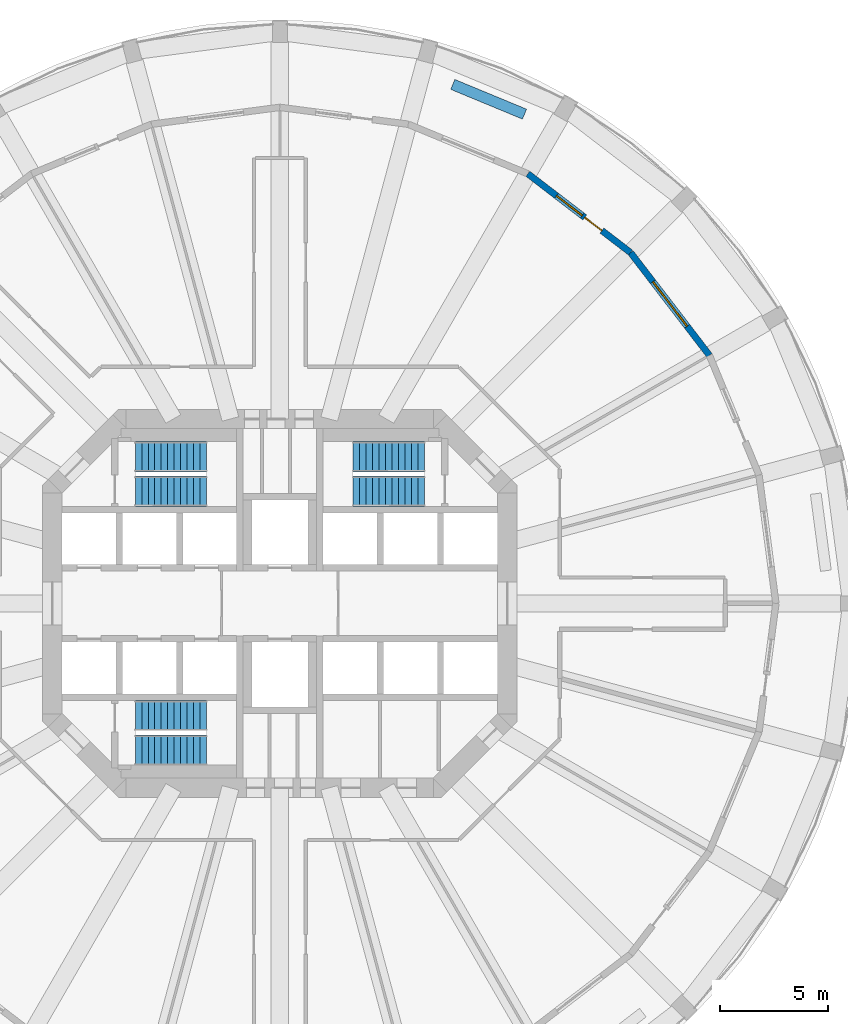
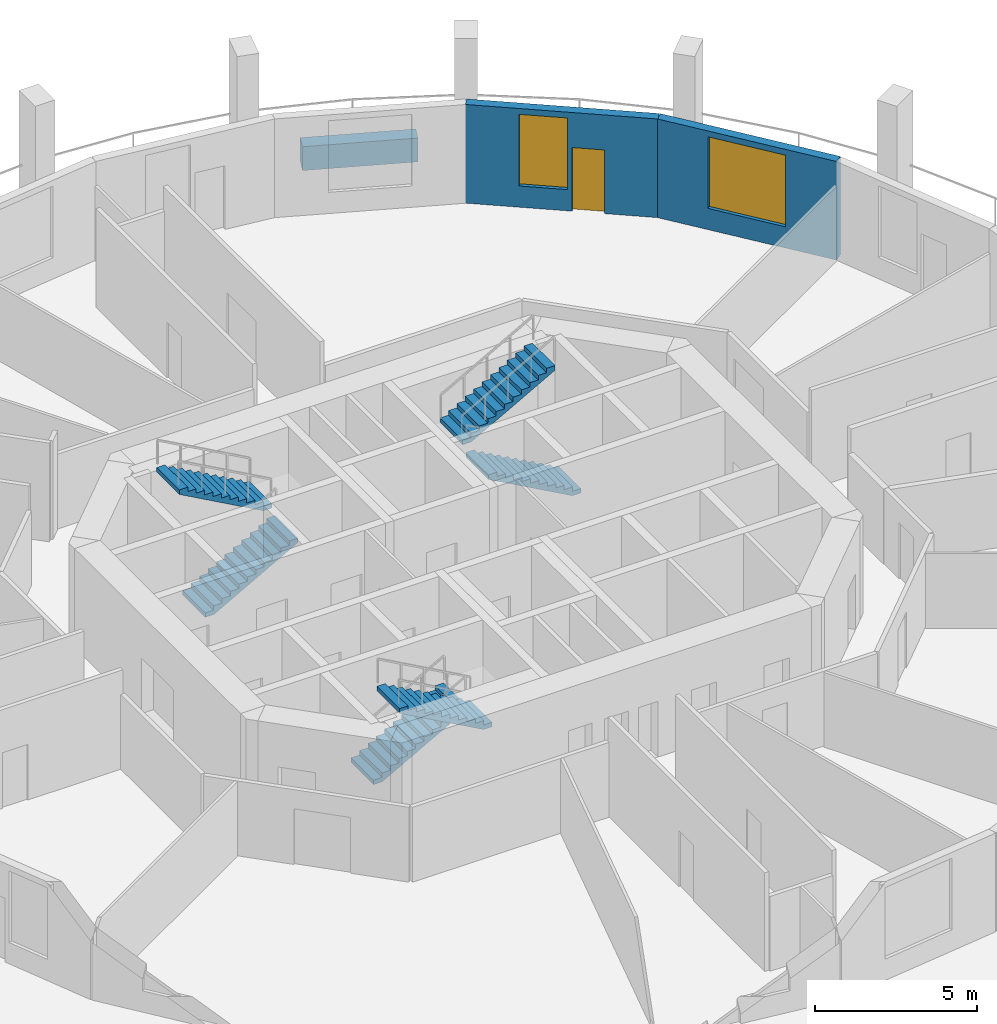
# One storey, part 7 of 9: 6 stair flights, 3 walls, 2 windows, 1 door, 3 openings, 3 elements without a shape of their own.
"""IFC4 building model written with IfcOpenShell, lengths in metres."""

from ifc_helpers import new_model, si_unit, direction, frame, frame_2d, origin, place, context, subcontext, project, spatial, polyline, rectangle, outline, extrude, material, layer, layer_set, type_object, element, fill, aggregate, save


model = new_model("IFC4")

# Units and contexts
model_context = context("Model", 3, precision=1e-05, world=origin(), true_north=direction((0.0, 1.0)))
body_context = subcontext(model_context, "Body", "Model", "MODEL_VIEW")
ifc_project = project(units=[si_unit("LENGTHUNIT", "METRE"), si_unit("AREAUNIT", "SQUARE_METRE"), si_unit("VOLUMEUNIT", "CUBIC_METRE"), si_unit("PLANEANGLEUNIT", "RADIAN"), si_unit("MASSUNIT", "GRAM", prefix="KILO")], contexts=[model_context])

# Site, building, storey
site_placement = place(None, origin())
site = spatial("IfcSite", under=ifc_project, at=site_placement, CompositionType="ELEMENT")
building_placement = place(site_placement, origin())
building = spatial("IfcBuilding", under=site, at=building_placement, Name="Torre Triforio", CompositionType="ELEMENT")
storey_placement = place(building_placement, frame((0.0, 0.0, 75.0)))
storey = spatial("IfcBuildingStorey", under=building, at=storey_placement, Name="L16", CompositionType="ELEMENT", Elevation=75.0)

# Wall
ifc_material_1 = material(Name="Limestone cladding", Category="masonry")
ifc_layer_1 = layer(ifc_material_1, 0.10009765625)
ifc_material_2 = material(Name="Concrete C40", Category="concrete")
ifc_layer_2 = layer(ifc_material_2, 0.39990234375)
ifc_layer_set_1 = layer_set([ifc_layer_1, ifc_layer_2], Name="Limestone cladding / Concrete C40")
wall_type_1 = type_object("IfcWallType", Name="Planter wall 500", PredefinedType="PARAPET", material=ifc_layer_set_1)
wall_1_placement = place(storey_placement, frame((11.344970703125, 22.685302734375, 0.0), z_axis=(0.0, 0.0, 1.0), x_axis=(-0.923885420167, 0.382669217998, 0.0)))
element("IfcWall", 1, at=wall_1_placement, inside=storey, type_object=wall_type_1, Name="Planter L16 bay 05", PredefinedType="PARAPET", context=body_context, shape_type="SweptSolid", body=[
    extrude(rectangle(XDim=3.60009765625, YDim=0.5, at=frame_2d((1.800048828125, 0.0))), origin(), (0.0, 0.0, 1.0), 0.89990234375),
])

# Wall, opening, window
ifc_layer_3 = layer(ifc_material_1, 0.10009765625)
ifc_layer_4 = layer(ifc_material_2, 0.199951171875)
ifc_layer_set_2 = layer_set([ifc_layer_3, ifc_layer_4], Name="Limestone cladding / Concrete C40")
wall_type_2 = type_object("IfcWallType", Name="Stone-faced composite wall 300", PredefinedType="STANDARD", material=ifc_layer_set_2)
wall_2_placement = place(storey_placement, frame((19.918701171875, 11.5, 0.0), z_axis=(0.0, 0.0, 1.0), x_axis=(-0.608778912074, 0.793339924758, 0.0)))
wall_2 = element("IfcWall", 2, at=wall_2_placement, inside=storey, type_object=wall_type_2, Name="External wall L16 bay 03", PredefinedType="STANDARD", context=body_context, shape_type="SweptSolid", body=[
    extrude(rectangle(XDim=6.004150390625, YDim=0.300048828125, at=frame_2d((3.001953125, 0.0))), origin(), (0.0, 0.0, 1.0), 3.719970703125),
])
opening_1_placement = place(wall_2_placement, frame((1.7021484375, 0.0, 0.800048828125)))
opening_1 = element("IfcOpeningElement", 3, at=opening_1_placement, cuts=wall_2, Name="Opening N5-W03", PredefinedType="OPENING", context=body_context, shape_type="SweptSolid", body=[
    extrude(rectangle(XDim=2.60009765625, YDim=2.699951171875, at=frame_2d((1.300048828125, 1.35009765625))), frame((0.0, 0.159912109375, 0.0), z_axis=(0.0, -1.0, 0.0), x_axis=(1.0, 0.0, 0.0)), (0.0, 0.0, 1.0), 0.320068359375),
])
ifc_material_3 = material(Name="Aluminium frame with clear double glazing", Category="aluminium")
window_type_1 = type_object("IfcWindowType", Name="Punched window 2600 x 2700", PartitioningType="DOUBLE_PANEL_VERTICAL", PredefinedType="WINDOW", material=ifc_material_3)
window_1_placement = place(opening_1_placement, origin())
window_1 = element("IfcWindow", 4, at=window_1_placement, inside=storey, type_object=window_type_1, Name="Window EWN2 L16 bay 03", OverallHeight=2.699951171875, OverallWidth=2.60009765625, PartitioningType="SINGLE_PANEL", PredefinedType="WINDOW", context=body_context, shape_type="SweptSolid", body=[
    extrude(rectangle(XDim=2.60009765625, YDim=2.699951171875, at=frame_2d((1.300048828125, 1.35009765625))), frame((0.0, 0.030029296875, 0.0), z_axis=(0.0, -1.0, 0.0), x_axis=(1.0, 0.0, 0.0)), (0.0, 0.0, 1.0), 0.06005859375),
])
fill(opening_1, window_1)

# Wall, openings, door, window
wall_3_placement = place(storey_placement, frame((16.263427734375, 16.263427734375, 0.0), z_axis=(0.0, 0.0, 1.0), x_axis=(-0.793339924758, 0.608778912074, 0.0)))
wall_3 = element("IfcWall", 5, at=wall_3_placement, inside=storey, type_object=wall_type_2, Name="External wall L16 bay 04", PredefinedType="STANDARD", context=body_context, shape_type="SweptSolid", body=[
    extrude(rectangle(XDim=6.004150390625, YDim=0.300048828125, at=frame_2d((3.001953125, 0.0))), origin(), (0.0, 0.0, 1.0), 3.719970703125),
])
opening_2_placement = place(wall_3_placement, frame((1.677001953125, 0.0, 0.0)))
opening_2 = element("IfcOpeningElement", 6, at=opening_2_placement, cuts=wall_3, Name="Opening N5-D04", PredefinedType="OPENING", context=body_context, shape_type="SweptSolid", body=[
    extrude(rectangle(XDim=1.0, YDim=2.39990234375, at=frame_2d((0.5, 1.199951171875))), frame((0.0, 0.159912109375, 0.0), z_axis=(0.0, -1.0, 0.0), x_axis=(1.0, 0.0, 0.0)), (0.0, 0.0, 1.0), 0.320068359375),
])
opening_3_placement = place(wall_3_placement, frame((2.8271484375, 0.0, 0.800048828125)))
opening_3 = element("IfcOpeningElement", 7, at=opening_3_placement, cuts=wall_3, Name="Opening N5-W04A", PredefinedType="OPENING", context=body_context, shape_type="SweptSolid", body=[
    extrude(rectangle(XDim=1.5, YDim=2.699951171875, at=frame_2d((0.75, 1.35009765625))), frame((0.0, 0.159912109375, 0.0), z_axis=(0.0, -1.0, 0.0), x_axis=(1.0, 0.0, 0.0)), (0.0, 0.0, 1.0), 0.320068359375),
])
door_type = type_object("IfcDoorType", Name="Loggia door 1000 x 2400", OperationType="NOTDEFINED", PredefinedType="DOOR", material=ifc_material_3)
door_placement = place(opening_2_placement, origin())
door = element("IfcDoor", 8, at=door_placement, inside=storey, type_object=door_type, Name="Loggia door L16 bay 04", OperationType="SINGLE_SWING_RIGHT", OverallHeight=2.39990234375, OverallWidth=1.0, PredefinedType="DOOR", context=body_context, shape_type="SweptSolid", body=[
    extrude(rectangle(XDim=1.0, YDim=2.39990234375, at=frame_2d((0.5, 1.199951171875))), frame((0.0, 0.02490234375, 0.0), z_axis=(0.0, -1.0, 0.0), x_axis=(1.0, 0.0, 0.0)), (0.0, 0.0, 1.0), 0.050048828125),
])
fill(opening_2, door)
window_type_2 = type_object("IfcWindowType", Name="Side window 1500 x 2700", PartitioningType="SINGLE_PANEL", PredefinedType="WINDOW", material=ifc_material_3)
window_2_placement = place(opening_3_placement, origin())
window_2 = element("IfcWindow", 9, at=window_2_placement, inside=storey, type_object=window_type_2, Name="Side window EWN12 L16 bay 04", OverallHeight=2.699951171875, OverallWidth=1.5, PartitioningType="SINGLE_PANEL", PredefinedType="WINDOW", context=body_context, shape_type="SweptSolid", body=[
    extrude(rectangle(XDim=1.5, YDim=2.699951171875, at=frame_2d((0.75, 1.35009765625))), frame((0.0, 0.030029296875, 0.0), z_axis=(0.0, -1.0, 0.0), x_axis=(1.0, 0.0, 0.0)), (0.0, 0.0, 1.0), 0.06005859375),
])
fill(opening_3, window_2)

# Stair, stair flights
stair_type = type_object("IfcStairType", Name="STAIR HALF-TURN", PredefinedType="HALF_TURN_STAIR", material=ifc_material_2)
stair_1_placement = place(storey_placement, origin())
stair_1 = element("IfcStair", 10, at=stair_1_placement, inside=storey, type_object=stair_type, Name="Exit stair 1", PredefinedType="HALF_TURN_STAIR")
stair_flight_type = type_object("IfcStairFlightType", Name="STAIR FLIGHT 1400", PredefinedType="STRAIGHT", material=ifc_material_2)
stair_flight_1_placement = place(storey_placement, frame((-6.699951171875, 5.199951171875, 0.0), z_axis=(0.0, 0.0, 1.0), x_axis=(1.0, 0.0, 0.0)))
stair_flight_1 = element("IfcStairFlight", 11, at=stair_flight_1_placement, type_object=stair_flight_type, Name="ST1 flight 1", NumberOfRisers=12, NumberOfTreads=11, PredefinedType="STRAIGHT", RiserHeight=0.166666667, TreadLength=0.3, context=body_context, shape_type="SweptSolid", body=[
    extrude(outline(polyline([(0.0, 0.0), (0.0, 0.166748046875), (0.300048828125, 0.166748046875), (0.300048828125, 0.333251953125), (0.60009765625, 0.333251953125), (0.60009765625, 0.5), (0.89990234375, 0.5), (0.89990234375, 0.666748046875), (1.199951171875, 0.666748046875), (1.199951171875, 0.833251953125), (1.5, 0.833251953125), (1.5, 1.0), (1.800048828125, 1.0), (1.800048828125, 1.166748046875), (2.10009765625, 1.166748046875), (2.10009765625, 1.333251953125), (2.39990234375, 1.333251953125), (2.39990234375, 1.5), (2.699951171875, 1.5), (2.699951171875, 1.666748046875), (3.0, 1.666748046875), (3.0, 1.833251953125), (3.300048828125, 1.833251953125), (3.300048828125, 2.0), (3.300048828125, 1.661865234375), (0.30859375, 0.0), (0.0, 0.0)])), frame((0.0, 0.699951171875, 0.0), z_axis=(0.0, -1.0, 0.0), x_axis=(1.0, 0.0, 0.0)), (0.0, 0.0, 1.0), 1.39990234375),
])
stair_flight_2_placement = place(storey_placement, frame((-3.39990234375, 6.800048828125, 2.0), z_axis=(0.0, 0.0, 1.0), x_axis=(-1.0, 0.0, 0.0)))
stair_flight_2 = element("IfcStairFlight", 12, at=stair_flight_2_placement, type_object=stair_flight_type, Name="ST1 flight 2", NumberOfRisers=12, NumberOfTreads=11, PredefinedType="STRAIGHT", RiserHeight=0.166666667, TreadLength=0.3, context=body_context, shape_type="SweptSolid", body=[
    extrude(outline(polyline([(0.0, 0.0), (0.0, 0.166748046875), (0.300048828125, 0.166748046875), (0.300048828125, 0.333251953125), (0.60009765625, 0.333251953125), (0.60009765625, 0.5), (0.89990234375, 0.5), (0.89990234375, 0.666748046875), (1.199951171875, 0.666748046875), (1.199951171875, 0.833251953125), (1.5, 0.833251953125), (1.5, 1.0), (1.800048828125, 1.0), (1.800048828125, 1.166748046875), (2.10009765625, 1.166748046875), (2.10009765625, 1.333251953125), (2.39990234375, 1.333251953125), (2.39990234375, 1.5), (2.699951171875, 1.5), (2.699951171875, 1.666748046875), (3.0, 1.666748046875), (3.0, 1.833251953125), (3.300048828125, 1.833251953125), (3.300048828125, 2.0), (3.300048828125, 1.661865234375), (0.30859375, 0.0), (0.0, 0.0)])), frame((0.0, 0.699951171875, 0.0), z_axis=(0.0, -1.0, 0.0), x_axis=(1.0, 0.0, 0.0)), (0.0, 0.0, 1.0), 1.39990234375),
])
aggregate(stair_1, [stair_flight_1, stair_flight_2])

stair_2_placement = place(storey_placement, origin())
stair_2 = element("IfcStair", 13, at=stair_2_placement, inside=storey, type_object=stair_type, Name="Exit stair 2", PredefinedType="HALF_TURN_STAIR")
stair_flight_3_placement = place(storey_placement, frame((6.699951171875, 5.199951171875, 0.0), z_axis=(0.0, 0.0, 1.0), x_axis=(-1.0, 0.0, 0.0)))
stair_flight_3 = element("IfcStairFlight", 14, at=stair_flight_3_placement, type_object=stair_flight_type, Name="ST2 flight 1", NumberOfRisers=12, NumberOfTreads=11, PredefinedType="STRAIGHT", RiserHeight=0.166666667, TreadLength=0.3, context=body_context, shape_type="SweptSolid", body=[
    extrude(outline(polyline([(0.0, 0.0), (0.0, 0.166748046875), (0.300048828125, 0.166748046875), (0.300048828125, 0.333251953125), (0.60009765625, 0.333251953125), (0.60009765625, 0.5), (0.89990234375, 0.5), (0.89990234375, 0.666748046875), (1.199951171875, 0.666748046875), (1.199951171875, 0.833251953125), (1.5, 0.833251953125), (1.5, 1.0), (1.800048828125, 1.0), (1.800048828125, 1.166748046875), (2.10009765625, 1.166748046875), (2.10009765625, 1.333251953125), (2.39990234375, 1.333251953125), (2.39990234375, 1.5), (2.699951171875, 1.5), (2.699951171875, 1.666748046875), (3.0, 1.666748046875), (3.0, 1.833251953125), (3.300048828125, 1.833251953125), (3.300048828125, 2.0), (3.300048828125, 1.661865234375), (0.30859375, 0.0), (0.0, 0.0)])), frame((0.0, 0.699951171875, 0.0), z_axis=(0.0, -1.0, 0.0), x_axis=(1.0, 0.0, 0.0)), (0.0, 0.0, 1.0), 1.39990234375),
])
stair_flight_4_placement = place(storey_placement, frame((3.39990234375, 6.800048828125, 2.0), z_axis=(0.0, 0.0, 1.0), x_axis=(1.0, 0.0, 0.0)))
stair_flight_4 = element("IfcStairFlight", 15, at=stair_flight_4_placement, type_object=stair_flight_type, Name="ST2 flight 2", NumberOfRisers=12, NumberOfTreads=11, PredefinedType="STRAIGHT", RiserHeight=0.166666667, TreadLength=0.3, context=body_context, shape_type="SweptSolid", body=[
    extrude(outline(polyline([(0.0, 0.0), (0.0, 0.166748046875), (0.300048828125, 0.166748046875), (0.300048828125, 0.333251953125), (0.60009765625, 0.333251953125), (0.60009765625, 0.5), (0.89990234375, 0.5), (0.89990234375, 0.666748046875), (1.199951171875, 0.666748046875), (1.199951171875, 0.833251953125), (1.5, 0.833251953125), (1.5, 1.0), (1.800048828125, 1.0), (1.800048828125, 1.166748046875), (2.10009765625, 1.166748046875), (2.10009765625, 1.333251953125), (2.39990234375, 1.333251953125), (2.39990234375, 1.5), (2.699951171875, 1.5), (2.699951171875, 1.666748046875), (3.0, 1.666748046875), (3.0, 1.833251953125), (3.300048828125, 1.833251953125), (3.300048828125, 2.0), (3.300048828125, 1.661865234375), (0.30859375, 0.0), (0.0, 0.0)])), frame((0.0, 0.699951171875, 0.0), z_axis=(0.0, -1.0, 0.0), x_axis=(1.0, 0.0, 0.0)), (0.0, 0.0, 1.0), 1.39990234375),
])
aggregate(stair_2, [stair_flight_3, stair_flight_4])

stair_3_placement = place(storey_placement, origin())
stair_3 = element("IfcStair", 16, at=stair_3_placement, inside=storey, type_object=stair_type, Name="Exit stair 3", PredefinedType="HALF_TURN_STAIR")
stair_flight_5_placement = place(storey_placement, frame((-6.699951171875, -5.199951171875, 0.0), z_axis=(0.0, 0.0, 1.0), x_axis=(1.0, 0.0, 0.0)))
stair_flight_5 = element("IfcStairFlight", 17, at=stair_flight_5_placement, type_object=stair_flight_type, Name="ST3 flight 1", NumberOfRisers=12, NumberOfTreads=11, PredefinedType="STRAIGHT", RiserHeight=0.166666667, TreadLength=0.3, context=body_context, shape_type="SweptSolid", body=[
    extrude(outline(polyline([(0.0, 0.0), (0.0, 0.166748046875), (0.300048828125, 0.166748046875), (0.300048828125, 0.333251953125), (0.60009765625, 0.333251953125), (0.60009765625, 0.5), (0.89990234375, 0.5), (0.89990234375, 0.666748046875), (1.199951171875, 0.666748046875), (1.199951171875, 0.833251953125), (1.5, 0.833251953125), (1.5, 1.0), (1.800048828125, 1.0), (1.800048828125, 1.166748046875), (2.10009765625, 1.166748046875), (2.10009765625, 1.333251953125), (2.39990234375, 1.333251953125), (2.39990234375, 1.5), (2.699951171875, 1.5), (2.699951171875, 1.666748046875), (3.0, 1.666748046875), (3.0, 1.833251953125), (3.300048828125, 1.833251953125), (3.300048828125, 2.0), (3.300048828125, 1.661865234375), (0.30859375, 0.0), (0.0, 0.0)])), frame((0.0, 0.699951171875, 0.0), z_axis=(0.0, -1.0, 0.0), x_axis=(1.0, 0.0, 0.0)), (0.0, 0.0, 1.0), 1.39990234375),
])
stair_flight_6_placement = place(storey_placement, frame((-3.39990234375, -6.800048828125, 2.0), z_axis=(0.0, 0.0, 1.0), x_axis=(-1.0, 0.0, 0.0)))
stair_flight_6 = element("IfcStairFlight", 18, at=stair_flight_6_placement, type_object=stair_flight_type, Name="ST3 flight 2", NumberOfRisers=12, NumberOfTreads=11, PredefinedType="STRAIGHT", RiserHeight=0.166666667, TreadLength=0.3, context=body_context, shape_type="SweptSolid", body=[
    extrude(outline(polyline([(0.0, 0.0), (0.0, 0.166748046875), (0.300048828125, 0.166748046875), (0.300048828125, 0.333251953125), (0.60009765625, 0.333251953125), (0.60009765625, 0.5), (0.89990234375, 0.5), (0.89990234375, 0.666748046875), (1.199951171875, 0.666748046875), (1.199951171875, 0.833251953125), (1.5, 0.833251953125), (1.5, 1.0), (1.800048828125, 1.0), (1.800048828125, 1.166748046875), (2.10009765625, 1.166748046875), (2.10009765625, 1.333251953125), (2.39990234375, 1.333251953125), (2.39990234375, 1.5), (2.699951171875, 1.5), (2.699951171875, 1.666748046875), (3.0, 1.666748046875), (3.0, 1.833251953125), (3.300048828125, 1.833251953125), (3.300048828125, 2.0), (3.300048828125, 1.661865234375), (0.30859375, 0.0), (0.0, 0.0)])), frame((0.0, 0.699951171875, 0.0), z_axis=(0.0, -1.0, 0.0), x_axis=(1.0, 0.0, 0.0)), (0.0, 0.0, 1.0), 1.39990234375),
])
aggregate(stair_3, [stair_flight_5, stair_flight_6])

save(model, "model.ifc")
